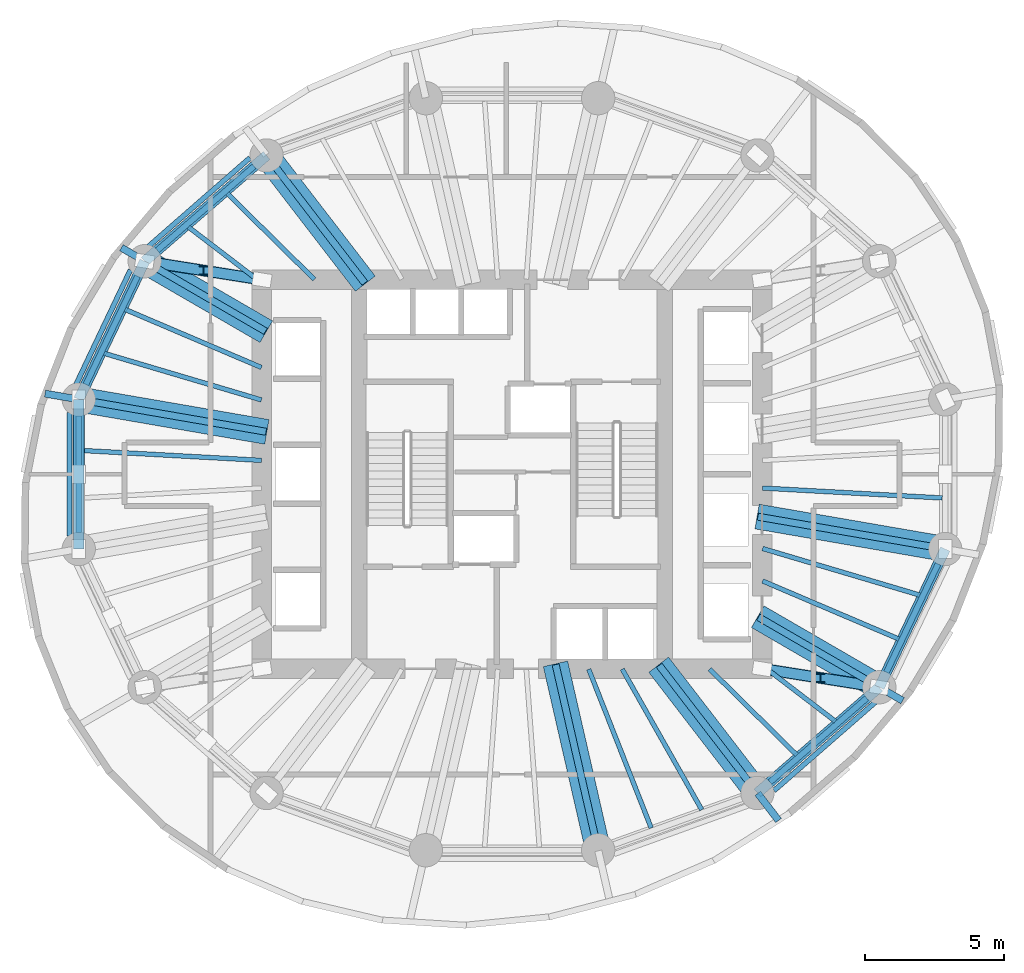
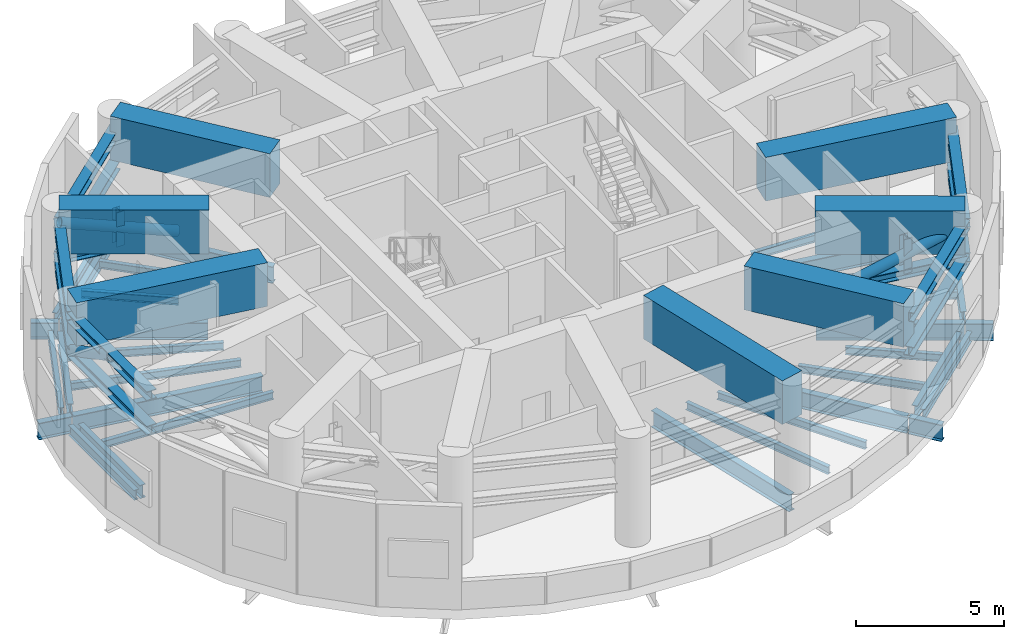
# One storey, part 2 of 9: 39 beams, 17 members.
"""IFC4 building model written with IfcOpenShell, lengths in metres."""

from ifc_helpers import new_model, si_unit, direction, frame, origin, origin_2d, place, context, subcontext, project, spatial, rectangle, hollow_circle, i_section, extrude, material, material_profile, profile_set, type_object, element, save


model = new_model("IFC4")

# Units and contexts
model_context = context("Model", 3, precision=1e-05, world=origin(), true_north=direction((0.0, 1.0)))
body_context = subcontext(model_context, "Body", "Model", "MODEL_VIEW")
ifc_project = project(units=[si_unit("LENGTHUNIT", "METRE"), si_unit("AREAUNIT", "SQUARE_METRE"), si_unit("VOLUMEUNIT", "CUBIC_METRE"), si_unit("PLANEANGLEUNIT", "RADIAN"), si_unit("MASSUNIT", "GRAM", prefix="KILO")], contexts=[model_context])

# Site, building, storey
site_placement = place(None, origin())
site = spatial("IfcSite", under=ifc_project, at=site_placement, CompositionType="ELEMENT")
building_placement = place(site_placement, origin())
building = spatial("IfcBuilding", under=site, at=building_placement, Name="Veldorim Arch Residences", CompositionType="ELEMENT")
storey_placement = place(building_placement, frame((0.0, 0.0, 112.47998046875)))
storey = spatial("IfcBuildingStorey", under=building, at=storey_placement, Name="L33", CompositionType="ELEMENT", Elevation=112.47998046875)

# Members
ifc_material_1 = material(Name="Steel S460", Category="steel")
ifc_material_profile_1 = material_profile(ifc_material_1, hollow_circle(Radius=0.203125, WallThickness=0.02490234375, at=origin_2d()), Name="CHS406.4x25")
ifc_profile_set_1 = profile_set([ifc_material_profile_1], Name="Steel S460")
member_type_1 = type_object("IfcMemberType", Name="Crown Diagrid CHS406.4x25", PredefinedType="BRACE", material=ifc_profile_set_1)
member_placement = place(storey_placement, frame((16.405517578125, 26.692138671875, 2.239990234375), z_axis=(0.0, -0.884510728409, 0.46651985095), x_axis=(1.0, 0.0, 0.0)))
element("IfcMember", 1, at=member_placement, inside=storey, type_object=member_type_1, Name="L33 belt truss chevron brace 08A", PredefinedType="BRACE", context=body_context, shape_type="SweptSolid", body=[
    extrude(hollow_circle(Radius=0.203125, WallThickness=0.02490234375, at=origin_2d()), origin(), (0.0, 0.0, 1.0), 3.043701171875),
])
for number, where, z_axis, x_axis, name in (
    (2, (41.0, 17.0, 2.239990234375), (0.937339958328, -0.148135174764, 0.315356579952), (0.15610047481, 0.987741181567, 0.0), "L33 outrigger truss diagonal 01"),
    (3, (23.0, 31.0, 2.239990234375), (-0.937339958328, 0.148135174764, 0.315356579952), (-0.15610047481, -0.987741181567, 0.0), "L33 outrigger truss diagonal 03"),
):
    element("IfcMember", number, at=place(storey_placement, frame(where, z_axis=z_axis, x_axis=x_axis)), inside=storey, type_object=member_type_1, Name=name, PredefinedType="BRACE", context=body_context, shape_type="SweptSolid", body=[
        extrude(hollow_circle(Radius=0.203125, WallThickness=0.02490234375, at=origin_2d()), origin(), (0.0, 0.0, 1.0), 4.502685546875),
    ])

# Beams
ifc_material_2 = material(Name="Concrete C50/60", Category="concrete")
ifc_material_profile_2 = material_profile(ifc_material_2, rectangle(XDim=0.89990234375, YDim=1.800048828125, at=origin_2d()), Name="RC_RECT_900x1800")
ifc_profile_set_2 = profile_set([ifc_material_profile_2], Name="Concrete C50/60")
beam_type_1 = type_object("IfcBeamType", Name="Reinforced Concrete TRANSFER GIRDER RC_RECT_900x1800", PredefinedType="USERDEFINED", material=ifc_profile_set_2)
beam_1_placement = place(storey_placement, frame((26.720703125, 30.857421875, 3.580078125), z_axis=(-0.610002316779, 0.792399629937, 0.0), x_axis=(-0.792399629937, -0.610002316779, 0.0)))
element("IfcBeam", 4, at=beam_1_placement, inside=storey, type_object=beam_type_1, Name="L33 zone-setback radial transfer girder 06", ObjectType="TRANSFER GIRDER", PredefinedType="USERDEFINED", context=body_context, shape_type="SweptSolid", body=[
    extrude(rectangle(XDim=0.89990234375, YDim=1.800048828125, at=origin_2d()), origin(), (0.0, 0.0, 1.0), 5.826416015625),
])
beam_2_placement = place(storey_placement, frame((23.15576171875, 29.129150390625, 3.580078125), z_axis=(-0.865062605032, 0.501663920743, 0.0), x_axis=(-0.501663920743, -0.865062605032, 0.0)))
element("IfcBeam", 5, at=beam_2_placement, inside=storey, type_object=beam_type_1, Name="L33 zone-setback radial transfer girder 07", ObjectType="TRANSFER GIRDER", PredefinedType="USERDEFINED", context=body_context, shape_type="SweptSolid", body=[
    extrude(rectangle(XDim=0.89990234375, YDim=1.800048828125, at=origin_2d()), origin(), (0.0, 0.0, 1.0), 5.058837890625),
])
beam_3_placement = place(storey_placement, frame((23.177490234375, 25.523193359375, 3.580078125), z_axis=(-0.985426867966, 0.170099641064, 0.0), x_axis=(-0.170099641064, -0.985426867966, 0.0)))
element("IfcBeam", 6, at=beam_3_placement, inside=storey, type_object=beam_type_1, Name="L33 zone-setback radial transfer girder 08", ObjectType="TRANSFER GIRDER", PredefinedType="USERDEFINED", context=body_context, shape_type="SweptSolid", body=[
    extrude(rectangle(XDim=0.89990234375, YDim=1.800048828125, at=origin_2d()), origin(), (0.0, 0.0, 1.0), 6.8720703125),
])
beam_4_placement = place(storey_placement, frame((33.564208984375, 17.175537109375, 3.580078125), z_axis=(0.223346674317, -0.974739074353, 0.0), x_axis=(0.974739074353, 0.223346674317, 0.0)))
element("IfcBeam", 7, at=beam_4_placement, inside=storey, type_object=beam_type_1, Name="L33 zone-setback radial transfer girder 13", ObjectType="TRANSFER GIRDER", PredefinedType="USERDEFINED", context=body_context, shape_type="SweptSolid", body=[
    extrude(rectangle(XDim=0.89990234375, YDim=1.800048828125, at=origin_2d()), origin(), (0.0, 0.0, 1.0), 6.88427734375),
])
beam_5_placement = place(storey_placement, frame((37.279296875, 17.142578125, 3.580078125), z_axis=(0.610002316779, -0.792399629937, 0.0), x_axis=(0.792399629937, 0.610002316779, 0.0)))
element("IfcBeam", 8, at=beam_5_placement, inside=storey, type_object=beam_type_1, Name="L33 zone-setback radial transfer girder 14", ObjectType="TRANSFER GIRDER", PredefinedType="USERDEFINED", context=body_context, shape_type="SweptSolid", body=[
    extrude(rectangle(XDim=0.89990234375, YDim=1.800048828125, at=origin_2d()), origin(), (0.0, 0.0, 1.0), 5.826416015625),
])
beam_6_placement = place(storey_placement, frame((40.84423828125, 18.870849609375, 3.580078125), z_axis=(0.865062605032, -0.501663920743, 0.0), x_axis=(0.501663920743, 0.865062605032, 0.0)))
element("IfcBeam", 9, at=beam_6_placement, inside=storey, type_object=beam_type_1, Name="L33 zone-setback radial transfer girder 15", ObjectType="TRANSFER GIRDER", PredefinedType="USERDEFINED", context=body_context, shape_type="SweptSolid", body=[
    extrude(rectangle(XDim=0.89990234375, YDim=1.800048828125, at=origin_2d()), origin(), (0.0, 0.0, 1.0), 5.058837890625),
])
beam_7_placement = place(storey_placement, frame((40.822509765625, 22.476806640625, 3.580078125), z_axis=(0.985426867966, -0.170099641064, 0.0), x_axis=(0.170099641064, 0.985426867966, 0.0)))
element("IfcBeam", 10, at=beam_7_placement, inside=storey, type_object=beam_type_1, Name="L33 zone-setback radial transfer girder 16", ObjectType="TRANSFER GIRDER", PredefinedType="USERDEFINED", context=body_context, shape_type="SweptSolid", body=[
    extrude(rectangle(XDim=0.89990234375, YDim=1.800048828125, at=origin_2d()), origin(), (0.0, 0.0, 1.0), 6.8720703125),
])
ifc_material_3 = material(Name="Steel S355", Category="steel")
ifc_material_profile_3 = material_profile(ifc_material_3, i_section(OverallWidth=0.2119140625, OverallDepth=0.54443359375, WebThickness=0.0126953125, FlangeThickness=0.021240234375, at=origin_2d()), Name="UB533x210x122")
ifc_profile_set_3 = profile_set([ifc_material_profile_3], Name="Steel S355")
beam_type_2 = type_object("IfcBeamType", Name="Structural Steel Beam UB533x210x122", PredefinedType="BEAM", material=ifc_profile_set_3)
beam_8_placement = place(storey_placement, frame((22.71337890625, 35.0810546875, -0.67236328125), z_axis=(-0.755244952556, -0.655442645576, 0.0), x_axis=(0.655442645576, -0.755244952556, 0.0)))
element("IfcBeam", 11, at=beam_8_placement, inside=storey, type_object=beam_type_2, Name="L33 perimeter ring tie beam 06", PredefinedType="BEAM", context=body_context, shape_type="SweptSolid", body=[
    extrude(i_section(OverallWidth=0.2119140625, OverallDepth=0.54443359375, WebThickness=0.0126953125, FlangeThickness=0.021240234375, at=origin_2d()), origin(), (0.0, 0.0, 1.0), 4.608642578125),
])
beam_9_placement = place(storey_placement, frame((18.521240234375, 31.12548828125, -0.67236328125), z_axis=(-0.430720154476, -0.902485539235, 0.0), x_axis=(0.902485539235, -0.430720154476, 0.0)))
element("IfcBeam", 12, at=beam_9_placement, inside=storey, type_object=beam_type_2, Name="L33 perimeter ring tie beam 07", PredefinedType="BEAM", context=body_context, shape_type="SweptSolid", body=[
    extrude(i_section(OverallWidth=0.2119140625, OverallDepth=0.54443359375, WebThickness=0.0126953125, FlangeThickness=0.021240234375, at=origin_2d()), origin(), (0.0, 0.0, 1.0), 4.312255859375),
])
beam_10_placement = place(storey_placement, frame((16.405517578125, 26.09228515625, -0.67236328125), z_axis=(0.0, -1.0, 0.0), x_axis=(1.0, 0.0, 0.0)))
element("IfcBeam", 13, at=beam_10_placement, inside=storey, type_object=beam_type_2, Name="L33 perimeter ring tie beam 08", PredefinedType="BEAM", context=body_context, shape_type="SweptSolid", body=[
    extrude(i_section(OverallWidth=0.2119140625, OverallDepth=0.54443359375, WebThickness=0.0126953125, FlangeThickness=0.021240234375, at=origin_2d()), origin(), (0.0, 0.0, 1.0), 4.1845703125),
])
beam_11_placement = place(storey_placement, frame((41.28662109375, 12.9189453125, -0.67236328125), z_axis=(0.755244952556, 0.655442645576, 0.0), x_axis=(-0.655442645576, 0.755244952556, 0.0)))
element("IfcBeam", 14, at=beam_11_placement, inside=storey, type_object=beam_type_2, Name="L33 perimeter ring tie beam 14", PredefinedType="BEAM", context=body_context, shape_type="SweptSolid", body=[
    extrude(i_section(OverallWidth=0.2119140625, OverallDepth=0.54443359375, WebThickness=0.0126953125, FlangeThickness=0.021240234375, at=origin_2d()), origin(), (0.0, 0.0, 1.0), 4.608642578125),
])
beam_12_placement = place(storey_placement, frame((45.478759765625, 16.87451171875, -0.67236328125), z_axis=(0.430720154476, 0.902485539235, 0.0), x_axis=(-0.902485539235, 0.430720154476, 0.0)))
element("IfcBeam", 15, at=beam_12_placement, inside=storey, type_object=beam_type_2, Name="L33 perimeter ring tie beam 15", PredefinedType="BEAM", context=body_context, shape_type="SweptSolid", body=[
    extrude(i_section(OverallWidth=0.2119140625, OverallDepth=0.54443359375, WebThickness=0.0126953125, FlangeThickness=0.021240234375, at=origin_2d()), origin(), (0.0, 0.0, 1.0), 4.312255859375),
])
ifc_material_4 = material(Name="Steel S355", Category="steel")
ifc_material_profile_4 = material_profile(ifc_material_4, i_section(OverallWidth=0.25439453125, OverallDepth=0.6875, WebThickness=0.01318359375, FlangeThickness=0.02099609375, at=origin_2d()), Name="UB686x254x152")
ifc_profile_set_4 = profile_set([ifc_material_profile_4], Name="Steel S355")
beam_type_3 = type_object("IfcBeamType", Name="Structural Steel GIRDER UB686x254x152", PredefinedType="USERDEFINED", material=ifc_profile_set_4)
beam_13_placement = place(storey_placement, frame((26.702392578125, 30.881103515625, -0.743896484375), z_axis=(-0.609994628196, 0.792405548676, 0.0), x_axis=(-0.792405548676, -0.609994628196, 0.0)))
element("IfcBeam", 16, at=beam_13_placement, inside=storey, type_object=beam_type_3, Name="L33 radial floor girder 06", ObjectType="GIRDER", PredefinedType="USERDEFINED", context=body_context, shape_type="SweptSolid", body=[
    extrude(i_section(OverallWidth=0.25439453125, OverallDepth=0.6875, WebThickness=0.01318359375, FlangeThickness=0.02099609375, at=origin_2d()), origin(), (0.0, 0.0, 1.0), 5.776611328125),
])
beam_14_placement = place(storey_placement, frame((23.1298828125, 29.14404296875, -0.743896484375), z_axis=(-0.865048957682, 0.501687453314, 0.0), x_axis=(-0.501687453314, -0.865048957682, 0.0)))
element("IfcBeam", 17, at=beam_14_placement, inside=storey, type_object=beam_type_3, Name="L33 radial floor girder 07", ObjectType="GIRDER", PredefinedType="USERDEFINED", context=body_context, shape_type="SweptSolid", body=[
    extrude(i_section(OverallWidth=0.25439453125, OverallDepth=0.6875, WebThickness=0.01318359375, FlangeThickness=0.02099609375, at=origin_2d()), origin(), (0.0, 0.0, 1.0), 5.009033203125),
])
beam_15_placement = place(storey_placement, frame((18.76220703125, 31.677001953125, -0.743896484375), z_axis=(-0.865015578934, 0.501745003165, 0.0), x_axis=(-0.501745003165, -0.865015578934, 0.0)))
element("IfcBeam", 18, at=beam_15_placement, inside=storey, type_object=beam_type_3, Name="L33 radial edge cantilever girder 07", ObjectType="GIRDER", PredefinedType="USERDEFINED", context=body_context, shape_type="SweptSolid", body=[
    extrude(i_section(OverallWidth=0.25439453125, OverallDepth=0.6875, WebThickness=0.01318359375, FlangeThickness=0.02099609375, at=origin_2d()), origin(), (0.0, 0.0, 1.0), 0.9501953125),
])
beam_16_placement = place(storey_placement, frame((23.147705078125, 25.5283203125, -0.743896484375), z_axis=(-0.985426622718, 0.17010106184, 0.0), x_axis=(-0.17010106184, -0.985426622718, 0.0)))
element("IfcBeam", 19, at=beam_16_placement, inside=storey, type_object=beam_type_3, Name="L33 radial floor girder 08", ObjectType="GIRDER", PredefinedType="USERDEFINED", context=body_context, shape_type="SweptSolid", body=[
    extrude(i_section(OverallWidth=0.25439453125, OverallDepth=0.6875, WebThickness=0.01318359375, FlangeThickness=0.02099609375, at=origin_2d()), origin(), (0.0, 0.0, 1.0), 6.82177734375),
])
beam_17_placement = place(storey_placement, frame((16.3857421875, 26.695556640625, -0.743896484375), z_axis=(-0.985422806688, 0.170123167323, 0.0), x_axis=(-0.170123167323, -0.985422806688, 0.0)))
element("IfcBeam", 20, at=beam_17_placement, inside=storey, type_object=beam_type_3, Name="L33 radial edge cantilever girder 08", ObjectType="GIRDER", PredefinedType="USERDEFINED", context=body_context, shape_type="SweptSolid", body=[
    extrude(i_section(OverallWidth=0.25439453125, OverallDepth=0.6875, WebThickness=0.01318359375, FlangeThickness=0.02099609375, at=origin_2d()), origin(), (0.0, 0.0, 1.0), 1.209716796875),
])
beam_18_placement = place(storey_placement, frame((33.57080078125, 17.146240234375, -0.743896484375), z_axis=(0.223374742148, -0.97473264261, 0.0), x_axis=(0.97473264261, 0.223374742148, 0.0)))
element("IfcBeam", 21, at=beam_18_placement, inside=storey, type_object=beam_type_3, Name="L33 radial floor girder 13", ObjectType="GIRDER", PredefinedType="USERDEFINED", context=body_context, shape_type="SweptSolid", body=[
    extrude(i_section(OverallWidth=0.25439453125, OverallDepth=0.6875, WebThickness=0.01318359375, FlangeThickness=0.02099609375, at=origin_2d()), origin(), (0.0, 0.0, 1.0), 6.834228515625),
])
beam_19_placement = place(storey_placement, frame((37.297607421875, 17.118896484375, -0.743896484375), z_axis=(0.609994628196, -0.792405548676, 0.0), x_axis=(0.792405548676, 0.609994628196, 0.0)))
element("IfcBeam", 22, at=beam_19_placement, inside=storey, type_object=beam_type_3, Name="L33 radial floor girder 14", ObjectType="GIRDER", PredefinedType="USERDEFINED", context=body_context, shape_type="SweptSolid", body=[
    extrude(i_section(OverallWidth=0.25439453125, OverallDepth=0.6875, WebThickness=0.01318359375, FlangeThickness=0.02099609375, at=origin_2d()), origin(), (0.0, 0.0, 1.0), 5.776611328125),
])
beam_20_placement = place(storey_placement, frame((40.845703125, 12.510009765625, -0.743896484375), z_axis=(0.60991256107, -0.792468717269, 0.0), x_axis=(0.792468717269, 0.60991256107, 0.0)))
element("IfcBeam", 23, at=beam_20_placement, inside=storey, type_object=beam_type_3, Name="L33 radial edge cantilever girder 14", ObjectType="GIRDER", PredefinedType="USERDEFINED", context=body_context, shape_type="SweptSolid", body=[
    extrude(i_section(OverallWidth=0.25439453125, OverallDepth=0.6875, WebThickness=0.01318359375, FlangeThickness=0.02099609375, at=origin_2d()), origin(), (0.0, 0.0, 1.0), 1.227783203125),
])
beam_21_placement = place(storey_placement, frame((40.8701171875, 18.85595703125, -0.743896484375), z_axis=(0.865048957682, -0.501687453314, 0.0), x_axis=(0.501687453314, 0.865048957682, 0.0)))
element("IfcBeam", 24, at=beam_21_placement, inside=storey, type_object=beam_type_3, Name="L33 radial floor girder 15", ObjectType="GIRDER", PredefinedType="USERDEFINED", context=body_context, shape_type="SweptSolid", body=[
    extrude(i_section(OverallWidth=0.25439453125, OverallDepth=0.6875, WebThickness=0.01318359375, FlangeThickness=0.02099609375, at=origin_2d()), origin(), (0.0, 0.0, 1.0), 5.009033203125),
])
beam_22_placement = place(storey_placement, frame((45.23779296875, 16.322998046875, -0.743896484375), z_axis=(0.865015578934, -0.501745003165, 0.0), x_axis=(0.501745003165, 0.865015578934, 0.0)))
element("IfcBeam", 25, at=beam_22_placement, inside=storey, type_object=beam_type_3, Name="L33 radial edge cantilever girder 15", ObjectType="GIRDER", PredefinedType="USERDEFINED", context=body_context, shape_type="SweptSolid", body=[
    extrude(i_section(OverallWidth=0.25439453125, OverallDepth=0.6875, WebThickness=0.01318359375, FlangeThickness=0.02099609375, at=origin_2d()), origin(), (0.0, 0.0, 1.0), 0.9501953125),
])
beam_23_placement = place(storey_placement, frame((40.852294921875, 22.4716796875, -0.743896484375), z_axis=(0.985426622718, -0.17010106184, 0.0), x_axis=(0.17010106184, 0.985426622718, 0.0)))
element("IfcBeam", 26, at=beam_23_placement, inside=storey, type_object=beam_type_3, Name="L33 radial floor girder 16", ObjectType="GIRDER", PredefinedType="USERDEFINED", context=body_context, shape_type="SweptSolid", body=[
    extrude(i_section(OverallWidth=0.25439453125, OverallDepth=0.6875, WebThickness=0.01318359375, FlangeThickness=0.02099609375, at=origin_2d()), origin(), (0.0, 0.0, 1.0), 6.82177734375),
])
ifc_material_5 = material(Name="Steel S355", Category="steel")
ifc_material_profile_5 = material_profile(ifc_material_5, i_section(OverallWidth=0.165771484375, OverallDepth=0.306640625, WebThickness=0.006591796875, FlangeThickness=0.01171875, at=origin_2d()), Name="UB305x165x46")
ifc_profile_set_5 = profile_set([ifc_material_profile_5], Name="Steel S355")
beam_type_4 = type_object("IfcBeamType", Name="Structural Steel Joist UB305x165x46", PredefinedType="JOIST", material=ifc_profile_set_5)
beam_24_placement = place(storey_placement, frame((24.885986328125, 31.013916015625, -0.55322265625), z_axis=(-0.712111629941, 0.702066255066, 0.0), x_axis=(-0.702066255066, -0.712111629941, 0.0)))
element("IfcBeam", 27, at=beam_24_placement, inside=storey, type_object=beam_type_4, Name="L33 secondary radial floor joist 06-1", PredefinedType="JOIST", context=body_context, shape_type="SweptSolid", body=[
    extrude(i_section(OverallWidth=0.165771484375, OverallDepth=0.306640625, WebThickness=0.006591796875, FlangeThickness=0.01171875, at=origin_2d()), origin(), (0.0, 0.0, 1.0), 4.39892578125),
])
beam_25_placement = place(storey_placement, frame((22.984130859375, 30.888427734375, -0.55322265625), z_axis=(-0.794594763594, 0.60714014994, 0.0), x_axis=(-0.60714014994, -0.794594763594, 0.0)))
element("IfcBeam", 28, at=beam_25_placement, inside=storey, type_object=beam_type_4, Name="L33 secondary radial floor joist 06-2", PredefinedType="JOIST", context=body_context, shape_type="SweptSolid", body=[
    extrude(i_section(OverallWidth=0.165771484375, OverallDepth=0.306640625, WebThickness=0.006591796875, FlangeThickness=0.01171875, at=origin_2d()), origin(), (0.0, 0.0, 1.0), 3.30419921875),
])
beam_26_placement = place(storey_placement, frame((22.981689453125, 27.841552734375, -0.55322265625), z_axis=(-0.919997395122, 0.391924473552, 0.0), x_axis=(-0.391924473552, -0.919997395122, 0.0)))
element("IfcBeam", 29, at=beam_26_placement, inside=storey, type_object=beam_type_4, Name="L33 secondary radial floor joist 07-1", PredefinedType="JOIST", context=body_context, shape_type="SweptSolid", body=[
    extrude(i_section(OverallWidth=0.165771484375, OverallDepth=0.306640625, WebThickness=0.006591796875, FlangeThickness=0.01171875, at=origin_2d()), origin(), (0.0, 0.0, 1.0), 5.334716796875),
])
beam_27_placement = place(storey_placement, frame((22.980712890625, 26.673583984375, -0.55322265625), z_axis=(-0.958753061488, 0.284240333324, 0.0), x_axis=(-0.284240333324, -0.958753061488, 0.0)))
element("IfcBeam", 30, at=beam_27_placement, inside=storey, type_object=beam_type_4, Name="L33 secondary radial floor joist 07-2", PredefinedType="JOIST", context=body_context, shape_type="SweptSolid", body=[
    extrude(i_section(OverallWidth=0.165771484375, OverallDepth=0.306640625, WebThickness=0.006591796875, FlangeThickness=0.01171875, at=origin_2d()), origin(), (0.0, 0.0, 1.0), 5.906005859375),
])
beam_28_placement = place(storey_placement, frame((22.97998046875, 24.498291015625, -0.55322265625), z_axis=(-0.99847713097, 0.055167190702, 0.0), x_axis=(-0.055167190702, -0.99847713097, 0.0)))
element("IfcBeam", 31, at=beam_28_placement, inside=storey, type_object=beam_type_4, Name="L33 secondary radial floor joist 08-1", PredefinedType="JOIST", context=body_context, shape_type="SweptSolid", body=[
    extrude(i_section(OverallWidth=0.165771484375, OverallDepth=0.306640625, WebThickness=0.006591796875, FlangeThickness=0.01171875, at=origin_2d()), origin(), (0.0, 0.0, 1.0), 6.474365234375),
])
beam_29_placement = place(storey_placement, frame((34.761962890625, 16.9814453125, -0.55322265625), z_axis=(0.366194870364, -0.930538186707, 0.0), x_axis=(0.930538186707, 0.366194870364, 0.0)))
element("IfcBeam", 32, at=beam_29_placement, inside=storey, type_object=beam_type_4, Name="L33 secondary radial floor joist 13-1", PredefinedType="JOIST", context=body_context, shape_type="SweptSolid", body=[
    extrude(i_section(OverallWidth=0.165771484375, OverallDepth=0.306640625, WebThickness=0.006591796875, FlangeThickness=0.01171875, at=origin_2d()), origin(), (0.0, 0.0, 1.0), 6.1396484375),
])
beam_30_placement = place(storey_placement, frame((35.96826171875, 16.982666015625, -0.55322265625), z_axis=(0.492227411199, -0.870466642476, 0.0), x_axis=(0.870466642476, 0.492227411199, 0.0)))
element("IfcBeam", 33, at=beam_30_placement, inside=storey, type_object=beam_type_4, Name="L33 secondary radial floor joist 13-2", PredefinedType="JOIST", context=body_context, shape_type="SweptSolid", body=[
    extrude(i_section(OverallWidth=0.165771484375, OverallDepth=0.306640625, WebThickness=0.006591796875, FlangeThickness=0.01171875, at=origin_2d()), origin(), (0.0, 0.0, 1.0), 5.81494140625),
])
beam_31_placement = place(storey_placement, frame((39.114013671875, 16.986083984375, -0.55322265625), z_axis=(0.712111629941, -0.702066255066, 0.0), x_axis=(0.702066255066, 0.712111629941, 0.0)))
element("IfcBeam", 34, at=beam_31_placement, inside=storey, type_object=beam_type_4, Name="L33 secondary radial floor joist 14-1", PredefinedType="JOIST", context=body_context, shape_type="SweptSolid", body=[
    extrude(i_section(OverallWidth=0.165771484375, OverallDepth=0.306640625, WebThickness=0.006591796875, FlangeThickness=0.01171875, at=origin_2d()), origin(), (0.0, 0.0, 1.0), 4.39892578125),
])
beam_32_placement = place(storey_placement, frame((41.015869140625, 17.111572265625, -0.55322265625), z_axis=(0.794594763594, -0.60714014994, 0.0), x_axis=(0.60714014994, 0.794594763594, 0.0)))
element("IfcBeam", 35, at=beam_32_placement, inside=storey, type_object=beam_type_4, Name="L33 secondary radial floor joist 14-2", PredefinedType="JOIST", context=body_context, shape_type="SweptSolid", body=[
    extrude(i_section(OverallWidth=0.165771484375, OverallDepth=0.306640625, WebThickness=0.006591796875, FlangeThickness=0.01171875, at=origin_2d()), origin(), (0.0, 0.0, 1.0), 3.30419921875),
])
beam_33_placement = place(storey_placement, frame((41.018310546875, 20.158447265625, -0.55322265625), z_axis=(0.919997395122, -0.391924473552, 0.0), x_axis=(0.391924473552, 0.919997395122, 0.0)))
element("IfcBeam", 36, at=beam_33_placement, inside=storey, type_object=beam_type_4, Name="L33 secondary radial floor joist 15-1", PredefinedType="JOIST", context=body_context, shape_type="SweptSolid", body=[
    extrude(i_section(OverallWidth=0.165771484375, OverallDepth=0.306640625, WebThickness=0.006591796875, FlangeThickness=0.01171875, at=origin_2d()), origin(), (0.0, 0.0, 1.0), 5.334716796875),
])
beam_34_placement = place(storey_placement, frame((41.019287109375, 21.326416015625, -0.55322265625), z_axis=(0.958753061488, -0.284240333324, 0.0), x_axis=(0.284240333324, 0.958753061488, 0.0)))
element("IfcBeam", 37, at=beam_34_placement, inside=storey, type_object=beam_type_4, Name="L33 secondary radial floor joist 15-2", PredefinedType="JOIST", context=body_context, shape_type="SweptSolid", body=[
    extrude(i_section(OverallWidth=0.165771484375, OverallDepth=0.306640625, WebThickness=0.006591796875, FlangeThickness=0.01171875, at=origin_2d()), origin(), (0.0, 0.0, 1.0), 5.906005859375),
])
beam_35_placement = place(storey_placement, frame((41.02001953125, 23.501708984375, -0.55322265625), z_axis=(0.99847713097, -0.055167190702, 0.0), x_axis=(0.055167190702, 0.99847713097, 0.0)))
element("IfcBeam", 38, at=beam_35_placement, inside=storey, type_object=beam_type_4, Name="L33 secondary radial floor joist 16-1", PredefinedType="JOIST", context=body_context, shape_type="SweptSolid", body=[
    extrude(i_section(OverallWidth=0.165771484375, OverallDepth=0.306640625, WebThickness=0.006591796875, FlangeThickness=0.01171875, at=origin_2d()), origin(), (0.0, 0.0, 1.0), 6.474365234375),
])
ifc_material_6 = material(Name="Steel S355", Category="steel")
ifc_material_profile_6 = material_profile(ifc_material_6, i_section(OverallWidth=0.1787109375, OverallDepth=0.409423828125, WebThickness=0.0087890625, FlangeThickness=0.014404296875, at=origin_2d()), Name="UB406x178x67")
ifc_profile_set_6 = profile_set([ifc_material_profile_6], Name="Steel S355")
beam_type_5 = type_object("IfcBeamType", Name="Structural Steel Spandrel UB406x178x67", PredefinedType="SPANDREL", material=ifc_profile_set_6)
beam_36_placement = place(storey_placement, frame((22.5673828125, 35.388427734375, -0.624755859375), z_axis=(-0.753323239074, -0.65765043714, 0.0), x_axis=(0.65765043714, -0.753323239074, 0.0)))
element("IfcBeam", 39, at=beam_36_placement, inside=storey, type_object=beam_type_5, Name="L33 perimeter chord spandrel beam 06", PredefinedType="SPANDREL", context=body_context, shape_type="SweptSolid", body=[
    extrude(i_section(OverallWidth=0.1787109375, OverallDepth=0.409423828125, WebThickness=0.0087890625, FlangeThickness=0.014404296875, at=origin_2d()), origin(), (0.0, 0.0, 1.0), 4.879150390625),
])
beam_37_placement = place(storey_placement, frame((18.267578125, 31.35546875, -0.624755859375), z_axis=(-0.428857472204, -0.903372165021, 0.0), x_axis=(0.903372165021, -0.428857472204, 0.0)))
element("IfcBeam", 40, at=beam_37_placement, inside=storey, type_object=beam_type_5, Name="L33 perimeter chord spandrel beam 07", PredefinedType="SPANDREL", context=body_context, shape_type="SweptSolid", body=[
    extrude(i_section(OverallWidth=0.1787109375, OverallDepth=0.409423828125, WebThickness=0.0087890625, FlangeThickness=0.014404296875, at=origin_2d()), origin(), (0.0, 0.0, 1.0), 4.572021484375),
])
beam_38_placement = place(storey_placement, frame((16.080322265625, 26.22021484375, -0.624755859375), z_axis=(0.0, -1.0, 0.0), x_axis=(1.0, 0.0, 0.0)))
element("IfcBeam", 41, at=beam_38_placement, inside=storey, type_object=beam_type_5, Name="L33 perimeter chord spandrel beam 08", PredefinedType="SPANDREL", context=body_context, shape_type="SweptSolid", body=[
    extrude(i_section(OverallWidth=0.1787109375, OverallDepth=0.409423828125, WebThickness=0.0087890625, FlangeThickness=0.014404296875, at=origin_2d()), origin(), (0.0, 0.0, 1.0), 4.4404296875),
])
beam_39_placement = place(storey_placement, frame((41.4326171875, 12.611572265625, -0.624755859375), z_axis=(0.753323239074, 0.65765043714, 0.0), x_axis=(-0.65765043714, 0.753323239074, 0.0)))
element("IfcBeam", 42, at=beam_39_placement, inside=storey, type_object=beam_type_5, Name="L33 perimeter chord spandrel beam 14", PredefinedType="SPANDREL", context=body_context, shape_type="SweptSolid", body=[
    extrude(i_section(OverallWidth=0.1787109375, OverallDepth=0.409423828125, WebThickness=0.0087890625, FlangeThickness=0.014404296875, at=origin_2d()), origin(), (0.0, 0.0, 1.0), 4.879150390625),
])

# Members
ifc_material_7 = material(Name="Steel S460", Category="steel")
ifc_material_profile_7 = material_profile(ifc_material_7, i_section(OverallWidth=0.374755859375, OverallDepth=0.37451171875, WebThickness=0.0166015625, FlangeThickness=0.027099609375, at=origin_2d()), Name="UC356x368x202")
ifc_profile_set_7 = profile_set([ifc_material_profile_7], Name="Steel S460")
member_type_2 = type_object("IfcMemberType", Name="Truss Chord UC356x368x202", PredefinedType="CHORD", material=ifc_profile_set_7)
for number, where, z_axis, x_axis, name in (
    (43, (23.16650390625, 35.474365234375, 2.239990234375), (-0.755234039619, -0.655455219982, 0.0), (0.655455219982, -0.755234039619, 0.0), "L33 belt truss bottom chord 06"),
    (44, (23.16650390625, 35.474365234375, 3.659912109375), (-0.755234039619, -0.655455219982, 0.0), (0.655455219982, -0.755234039619, 0.0), "L33 belt truss top chord 06"),
):
    element("IfcMember", number, at=place(storey_placement, frame(where, z_axis=z_axis, x_axis=x_axis)), inside=storey, type_object=member_type_2, Name=name, PredefinedType="CHORD", context=body_context, shape_type="SweptSolid", body=[
        extrude(i_section(OverallWidth=0.374755859375, OverallDepth=0.37451171875, WebThickness=0.0166015625, FlangeThickness=0.027099609375, at=origin_2d()), origin(), (0.0, 0.0, 1.0), 5.808837890625),
    ])
for number, where, z_axis, x_axis, name in (
    (45, (18.779541015625, 31.6669921875, 2.239990234375), (-0.430679574886, -0.902504905126, 0.0), (0.902504905126, -0.430679574886, 0.0), "L33 belt truss bottom chord 07"),
    (46, (18.779541015625, 31.6669921875, 3.659912109375), (-0.430679574886, -0.902504905126, 0.0), (0.902504905126, -0.430679574886, 0.0), "L33 belt truss top chord 07"),
):
    element("IfcMember", number, at=place(storey_placement, frame(where, z_axis=z_axis, x_axis=x_axis)), inside=storey, type_object=member_type_2, Name=name, PredefinedType="CHORD", context=body_context, shape_type="SweptSolid", body=[
        extrude(i_section(OverallWidth=0.374755859375, OverallDepth=0.37451171875, WebThickness=0.0166015625, FlangeThickness=0.027099609375, at=origin_2d()), origin(), (0.0, 0.0, 1.0), 5.51220703125),
    ])
for number, where, z_axis, x_axis, name in (
    (47, (16.405517578125, 26.692138671875, 2.239990234375), (0.0, -1.0, 0.0), (1.0, 0.0, 0.0), "L33 belt truss bottom chord 08"),
    (48, (16.405517578125, 26.692138671875, 3.659912109375), (0.0, -1.0, 0.0), (1.0, 0.0, 0.0), "L33 belt truss top chord 08"),
):
    element("IfcMember", number, at=place(storey_placement, frame(where, z_axis=z_axis, x_axis=x_axis)), inside=storey, type_object=member_type_2, Name=name, PredefinedType="CHORD", context=body_context, shape_type="SweptSolid", body=[
        extrude(i_section(OverallWidth=0.374755859375, OverallDepth=0.37451171875, WebThickness=0.0166015625, FlangeThickness=0.027099609375, at=origin_2d()), origin(), (0.0, 0.0, 1.0), 5.38427734375),
    ])
for number, where, z_axis, x_axis, name in (
    (49, (40.83349609375, 12.525634765625, 2.239990234375), (0.755234039619, 0.655455219982, 0.0), (-0.655455219982, 0.755234039619, 0.0), "L33 belt truss bottom chord 14"),
    (50, (40.83349609375, 12.525634765625, 3.659912109375), (0.755234039619, 0.655455219982, 0.0), (-0.655455219982, 0.755234039619, 0.0), "L33 belt truss top chord 14"),
):
    element("IfcMember", number, at=place(storey_placement, frame(where, z_axis=z_axis, x_axis=x_axis)), inside=storey, type_object=member_type_2, Name=name, PredefinedType="CHORD", context=body_context, shape_type="SweptSolid", body=[
        extrude(i_section(OverallWidth=0.374755859375, OverallDepth=0.37451171875, WebThickness=0.0166015625, FlangeThickness=0.027099609375, at=origin_2d()), origin(), (0.0, 0.0, 1.0), 5.808837890625),
    ])
for number, where, z_axis, x_axis, name in (
    (51, (45.220458984375, 16.3330078125, 2.239990234375), (0.430679574886, 0.902504905126, 0.0), (-0.902504905126, 0.430679574886, 0.0), "L33 belt truss bottom chord 15"),
    (52, (45.220458984375, 16.3330078125, 3.659912109375), (0.430679574886, 0.902504905126, 0.0), (-0.902504905126, 0.430679574886, 0.0), "L33 belt truss top chord 15"),
):
    element("IfcMember", number, at=place(storey_placement, frame(where, z_axis=z_axis, x_axis=x_axis)), inside=storey, type_object=member_type_2, Name=name, PredefinedType="CHORD", context=body_context, shape_type="SweptSolid", body=[
        extrude(i_section(OverallWidth=0.374755859375, OverallDepth=0.37451171875, WebThickness=0.0166015625, FlangeThickness=0.027099609375, at=origin_2d()), origin(), (0.0, 0.0, 1.0), 5.51220703125),
    ])
for number, where, z_axis, x_axis, name in (
    (53, (41.0, 17.0, 2.239990234375), (0.987741181567, -0.15610047481, 0.0), (0.15610047481, 0.987741181567, 0.0), "L33 outrigger truss bottom chord 01"),
    (54, (23.0, 31.0, 2.239990234375), (-0.987741181567, 0.15610047481, 0.0), (-0.15610047481, -0.987741181567, 0.0), "L33 outrigger truss bottom chord 03"),
):
    element("IfcMember", number, at=place(storey_placement, frame(where, z_axis=z_axis, x_axis=x_axis)), inside=storey, type_object=member_type_2, Name=name, PredefinedType="CHORD", context=body_context, shape_type="SweptSolid", body=[
        extrude(i_section(OverallWidth=0.374755859375, OverallDepth=0.37451171875, WebThickness=0.0166015625, FlangeThickness=0.027099609375, at=origin_2d()), origin(), (0.0, 0.0, 1.0), 4.27294921875),
    ])
ifc_material_8 = material(Name="Steel S460", Category="steel")
ifc_material_profile_8 = material_profile(ifc_material_8, i_section(OverallWidth=0.311279296875, OverallDepth=0.3271484375, WebThickness=0.015869140625, FlangeThickness=0.02490234375, at=origin_2d()), Name="UC305x305x158")
ifc_profile_set_8 = profile_set([ifc_material_profile_8], Name="Steel S460")
member_type_3 = type_object("IfcMemberType", Name="Truss Post UC305x305x158", PredefinedType="POST", material=ifc_profile_set_8)
for number, where, z_axis, x_axis, name in (
    (55, (43.110107421875, 16.66650390625, 2.239990234375), (0.0, 0.0, 1.0), (1.0, 0.0, 0.0), "L33 outrigger truss mid-post 01"),
    (56, (20.889892578125, 31.33349609375, 2.239990234375), (0.0, 0.0, 1.0), (1.0, 0.0, 0.0), "L33 outrigger truss mid-post 03"),
):
    element("IfcMember", number, at=place(storey_placement, frame(where, z_axis=z_axis, x_axis=x_axis)), inside=storey, type_object=member_type_3, Name=name, PredefinedType="POST", context=body_context, shape_type="SweptSolid", body=[
        extrude(i_section(OverallWidth=0.311279296875, OverallDepth=0.3271484375, WebThickness=0.015869140625, FlangeThickness=0.02490234375, at=origin_2d()), origin(), (0.0, 0.0, 1.0), 1.419921875),
    ])

save(model, "model.ifc")
